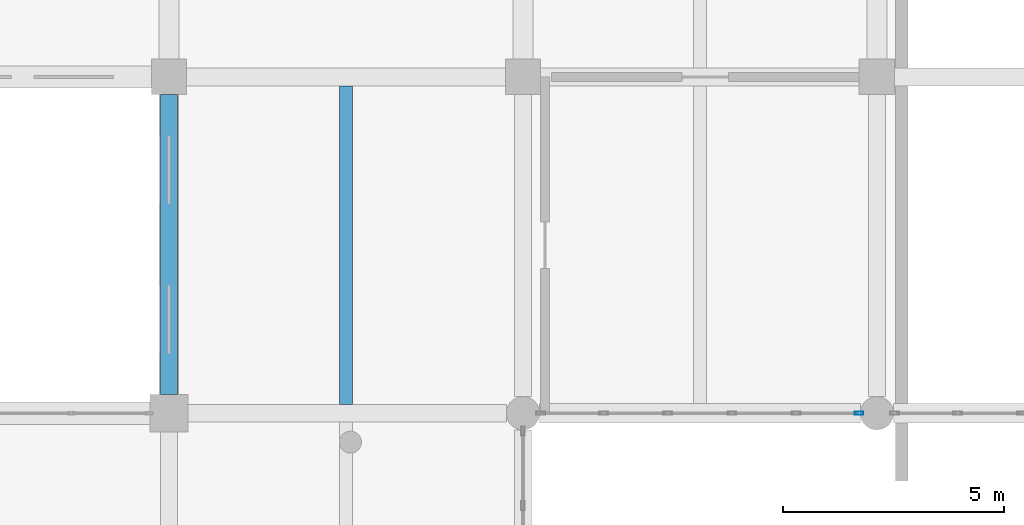
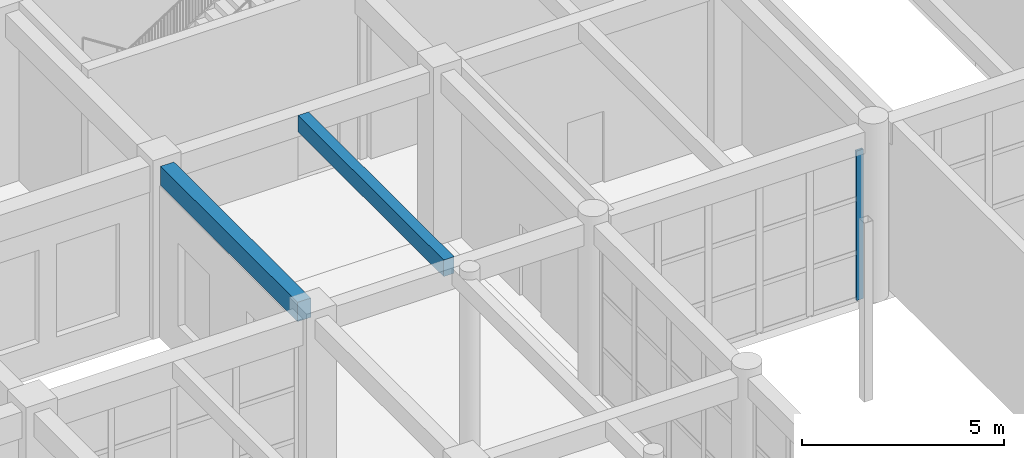
# One storey, part 47 of 95: 2 beams, 1 member, 1 element without a shape of its own.
"""IFC4 building model written with IfcOpenShell, lengths in metres."""

from ifc_helpers import new_model, si_unit, direction, frame, origin, origin_2d, place, context, subcontext, project, spatial, rectangle, hollow_rectangle, extrude, material, material_profile, profile_set, type_object, element, aggregate, save


model = new_model("IFC4")

# Units and contexts
model_context = context("Model", 3, precision=1e-05, world=origin(), true_north=direction((0.0, 1.0)))
body_context = subcontext(model_context, "Body", "Model", "MODEL_VIEW")
ifc_project = project(units=[si_unit("LENGTHUNIT", "METRE"), si_unit("AREAUNIT", "SQUARE_METRE"), si_unit("VOLUMEUNIT", "CUBIC_METRE"), si_unit("PLANEANGLEUNIT", "RADIAN"), si_unit("MASSUNIT", "GRAM", prefix="KILO")], contexts=[model_context])

# Site, building, storey
site_placement = place(None, origin())
site = spatial("IfcSite", under=ifc_project, at=site_placement, CompositionType="ELEMENT")
building_placement = place(site_placement, origin())
building = spatial("IfcBuilding", under=site, at=building_placement, Name="Zantavel Square City Hall", CompositionType="ELEMENT")
storey_placement = place(building_placement, origin())
storey = spatial("IfcBuildingStorey", under=building, at=storey_placement, Name="L01", CompositionType="ELEMENT", Elevation=0.0)

# Beam
ifc_material_1 = material(Name="Concrete C35/45", Category="concrete")
ifc_material_profile_1 = material_profile(ifc_material_1, rectangle(XDim=0.3798828125, YDim=0.580078125, at=origin_2d()), Name="RC 380x580")
ifc_profile_set_1 = profile_set([ifc_material_profile_1], Name="Concrete C35/45")
beam_type_1 = type_object("IfcBeamType", Name="Annex Secondary Beam RC 380x580 C35/45", PredefinedType="BEAM", material=ifc_profile_set_1)
beam_1_placement = place(storey_placement, frame((112.0, 68.824951171875, 4.8701171875), z_axis=(0.0, 1.0, 0.0), x_axis=(-1.0, 0.0, 0.0)))
element("IfcBeam", 1, at=beam_1_placement, inside=storey, type_object=beam_type_1, Name="L01 Beam BMY-L01-1120-0684", PredefinedType="BEAM", context=body_context, shape_type="SweptSolid", body=[
    extrude(rectangle(XDim=0.3798828125, YDim=0.580078125, at=origin_2d()), origin(), (0.0, 0.0, 1.0), 6.775146484375),
])

# Curtain wall, member
ifc_material_2 = material(Name="Anodised aluminium 6063-T6", Category="aluminium")
curtain_wall_type = type_object("IfcCurtainWallType", Name="Curtain Wall CRT 7250x4510", PredefinedType="USERDEFINED", material=ifc_material_2)
curtain_wall_placement = place(storey_placement, origin())
curtain_wall = element("IfcCurtainWall", 2, at=curtain_wall_placement, inside=storey, type_object=curtain_wall_type, Name="L01 Glazed Curtain Wall CW-L01-022", ObjectType="GLAZED CURTAIN WALL", PredefinedType="USERDEFINED")
ifc_material_profile_2 = material_profile(ifc_material_2, hollow_rectangle(XDim=0.070068359375, YDim=0.199951171875, WallThickness=0.00439453125, at=origin_2d()), Name="ALU 70x200x4.5")
ifc_profile_set_2 = profile_set([ifc_material_profile_2], Name="Anodised aluminium 6063-T6")
member_type = type_object("IfcMemberType", Name="CW Heavy Hall Mullion ALU 70x200x4.5", PredefinedType="MULLION", material=ifc_profile_set_2)
member_placement = place(storey_placement, frame((127.594970703125, 68.39990234375, 0.0), z_axis=(0.0, 0.0, 1.0), x_axis=(0.0, -1.0, 0.0)))
member = element("IfcMember", 3, at=member_placement, type_object=member_type, Name="CW-022 mullion 1", PredefinedType="MULLION", context=body_context, shape_type="SweptSolid", body=[
    extrude(hollow_rectangle(XDim=0.070068359375, YDim=0.199951171875, WallThickness=0.00439453125, at=origin_2d()), origin(), (0.0, 0.0, 1.0), 4.510009765625),
])
aggregate(curtain_wall, [member])

# Beam
ifc_material_profile_3 = material_profile(ifc_material_1, rectangle(XDim=0.300048828125, YDim=0.5, at=origin_2d()), Name="RC 300x500")
ifc_profile_set_3 = profile_set([ifc_material_profile_3], Name="Concrete C35/45")
beam_type_2 = type_object("IfcBeamType", Name="Floor Joist RC 300x500 C35/45", PredefinedType="JOIST", material=ifc_profile_set_3)
beam_2_placement = place(storey_placement, frame((116.0, 68.60009765625, 4.909912109375), z_axis=(0.0, 1.0, 0.0), x_axis=(-1.0, 0.0, 0.0)))
element("IfcBeam", 4, at=beam_2_placement, inside=storey, type_object=beam_type_2, Name="L01 Floor Joist JST-L01-1160-0684", PredefinedType="JOIST", context=body_context, shape_type="SweptSolid", body=[
    extrude(rectangle(XDim=0.300048828125, YDim=0.5, at=origin_2d()), origin(), (0.0, 0.0, 1.0), 7.199951171875),
])

save(model, "model.ifc")
